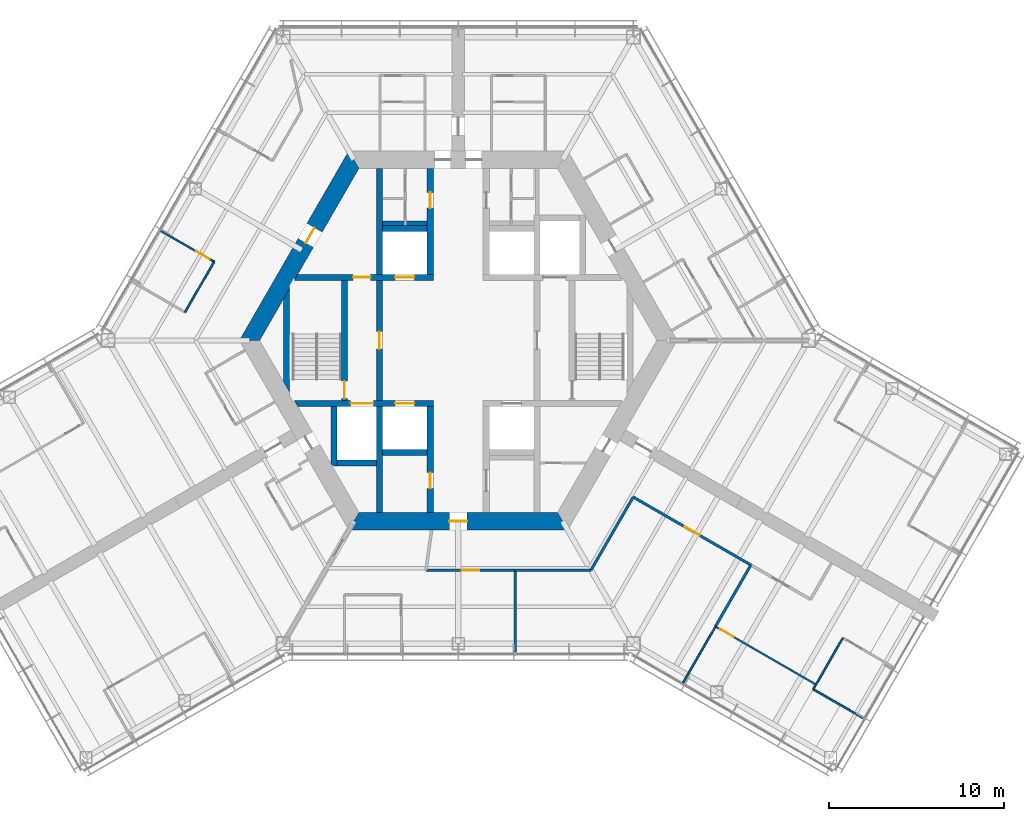
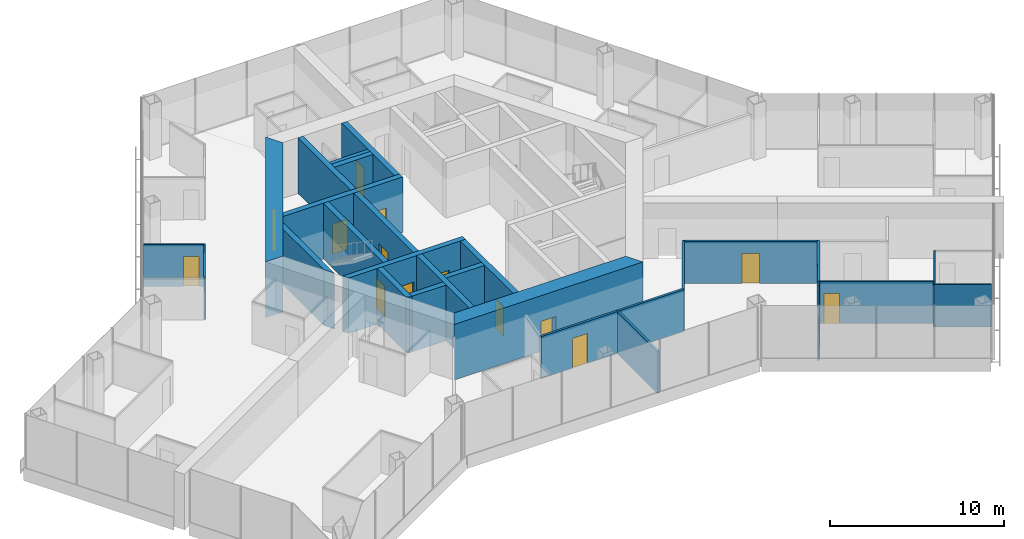
# One storey, part 12 of 18: 29 walls, 14 doors, 14 openings.
"""IFC4 building model written with IfcOpenShell, lengths in metres."""

from ifc_helpers import new_model, si_unit, direction, frame, frame_2d, origin, place, context, subcontext, project, spatial, polyline, rectangle, outline, extrude, material, layer, layer_set, type_object, element, fill, save


model = new_model("IFC4")

# Units and contexts
model_context = context("Model", 3, precision=1e-05, world=origin(), true_north=direction((0.0, 1.0)))
body_context = subcontext(model_context, "Body", "Model", "MODEL_VIEW")
ifc_project = project(units=[si_unit("LENGTHUNIT", "METRE"), si_unit("AREAUNIT", "SQUARE_METRE"), si_unit("VOLUMEUNIT", "CUBIC_METRE"), si_unit("PLANEANGLEUNIT", "RADIAN"), si_unit("MASSUNIT", "GRAM", prefix="KILO")], contexts=[model_context])

# Site, building, storey
site_placement = place(None, origin())
site = spatial("IfcSite", under=ifc_project, at=site_placement, CompositionType="ELEMENT")
building_placement = place(site_placement, origin())
building = spatial("IfcBuilding", under=site, at=building_placement, Name="Kasaneha Research Tower", CompositionType="ELEMENT")
storey_placement = place(building_placement, frame((0.0, 0.0, 176.0)))
storey = spatial("IfcBuildingStorey", under=building, at=storey_placement, Name="L44", CompositionType="ELEMENT", Elevation=176.0)

# Wall, openings, doors
ifc_material_1 = material(Name="Concrete Fc70", Category="concrete")
ifc_layer_1 = layer(ifc_material_1, 0.35009765625)
ifc_layer_set_1 = layer_set([ifc_layer_1], Name="Core internal wall 350 Fc70")
wall_type_1 = type_object("IfcWallType", Name="Core internal wall 350 Fc70", PredefinedType="SHEAR", material=ifc_layer_set_1)
wall_1_placement = place(storey_placement, frame((-9.266357421875, 3.60009765625, 0.0), z_axis=(0.0, 0.0, 1.0), x_axis=(1.0, 0.0, 0.0)))
wall_1 = element("IfcWall", 1, at=wall_1_placement, inside=storey, type_object=wall_type_1, Name="Core wall W1W L44", PredefinedType="SHEAR", context=body_context, shape_type="SweptSolid", body=[
    extrude(outline(polyline([(-0.10107421875, -0.175048828125), (3.266357421875, -0.175048828125), (4.266357421875, -0.175048828125), (5.66650390625, -0.175048828125), (6.7666015625, -0.175048828125), (7.84130859375, -0.175048828125), (7.84130859375, 0.175048828125), (6.7666015625, 0.175048828125), (5.66650390625, 0.175048828125), (4.266357421875, 0.175048828125), (3.266357421875, 0.175048828125), (0.10107421875, 0.175048828125), (-0.10107421875, -0.175048828125)])), origin(), (0.0, 0.0, 1.0), 3.89990234375),
])
opening_1_placement = place(wall_1_placement, frame((3.266357421875, 0.0, 0.0)))
opening_1 = element("IfcOpeningElement", 2, at=opening_1_placement, cuts=wall_1, Name="Opening L44-D12", PredefinedType="OPENING", context=body_context, shape_type="SweptSolid", body=[
    extrude(rectangle(XDim=1.0, YDim=2.10009765625, at=frame_2d((0.5, 1.050048828125))), frame((0.0, 0.18505859375, 0.0), z_axis=(0.0, -1.0, 0.0), x_axis=(1.0, 0.0, 0.0)), (0.0, 0.0, 1.0), 0.3701171875),
])
opening_2_placement = place(wall_1_placement, frame((5.66650390625, 0.0, 0.0)))
opening_2 = element("IfcOpeningElement", 3, at=opening_2_placement, cuts=wall_1, Name="Opening LD-LM1-L44", PredefinedType="OPENING", context=body_context, shape_type="SweptSolid", body=[
    extrude(rectangle(XDim=1.10009765625, YDim=2.10009765625, at=frame_2d((0.550048828125, 1.050048828125))), frame((0.0, 0.18505859375, 0.0), z_axis=(0.0, -1.0, 0.0), x_axis=(1.0, 0.0, 0.0)), (0.0, 0.0, 1.0), 0.3701171875),
])
ifc_material_2 = material(Name="Steel", Category="steel")
door_type_1 = type_object("IfcDoorType", Name="Lift landing door 1100x2100", OperationType="DOUBLE_DOOR_SLIDING", PredefinedType="DOOR", material=ifc_material_2)
door_1_placement = place(opening_2_placement, origin())
door_1 = element("IfcDoor", 4, at=door_1_placement, inside=storey, type_object=door_type_1, Name="Landing door LM1 LD-LM1-L44", OperationType="DOUBLE_DOOR_SLIDING", OverallHeight=2.10009765625, OverallWidth=1.10009765625, PredefinedType="DOOR", context=body_context, shape_type="SweptSolid", body=[
    extrude(rectangle(XDim=1.10009765625, YDim=2.10009765625, at=frame_2d((0.550048828125, 1.050048828125))), frame((0.0, 0.02490234375, 0.0), z_axis=(0.0, -1.0, 0.0), x_axis=(1.0, 0.0, 0.0)), (0.0, 0.0, 1.0), 0.050048828125),
])
fill(opening_2, door_1)
ifc_material_3 = material(Name="Steel", Category="steel")
door_type_2 = type_object("IfcDoorType", Name="Specified fire door FD60 1000x2100", OperationType="NOTDEFINED", PredefinedType="DOOR", material=ifc_material_3)
door_2_placement = place(opening_1_placement, origin())
door_2 = element("IfcDoor", 5, at=door_2_placement, inside=storey, type_object=door_type_2, Name="Vestibule to lobby door L44-D12", OperationType="SINGLE_SWING_LEFT", OverallHeight=2.10009765625, OverallWidth=1.0, PredefinedType="DOOR", context=body_context, shape_type="SweptSolid", body=[
    extrude(rectangle(XDim=1.0, YDim=2.10009765625, at=frame_2d((0.5, 1.050048828125))), frame((0.0, 0.02490234375, 0.0), z_axis=(0.0, -1.0, 0.0), x_axis=(1.0, 0.0, 0.0)), (0.0, 0.0, 1.0), 0.050048828125),
])
fill(opening_1, door_2)

wall_2_placement = place(storey_placement, frame((-9.266357421875, -3.60009765625, 0.0), z_axis=(0.0, 0.0, 1.0), x_axis=(1.0, 0.0, 0.0)))
wall_2 = element("IfcWall", 6, at=wall_2_placement, inside=storey, type_object=wall_type_1, Name="Core wall W2W L44", PredefinedType="SHEAR", context=body_context, shape_type="SweptSolid", body=[
    extrude(outline(polyline([(0.10107421875, -0.175048828125), (3.116455078125, -0.175048828125), (4.41650390625, -0.175048828125), (5.66650390625, -0.175048828125), (6.7666015625, -0.175048828125), (7.84130859375, -0.175048828125), (7.84130859375, 0.175048828125), (6.7666015625, 0.175048828125), (5.66650390625, 0.175048828125), (4.41650390625, 0.175048828125), (3.116455078125, 0.175048828125), (-0.10107421875, 0.175048828125), (0.10107421875, -0.175048828125)])), origin(), (0.0, 0.0, 1.0), 3.89990234375),
])
opening_3_placement = place(wall_2_placement, frame((5.66650390625, 0.0, 0.0)))
opening_3 = element("IfcOpeningElement", 7, at=opening_3_placement, cuts=wall_2, Name="Opening LD-LM3-L44", PredefinedType="OPENING", context=body_context, shape_type="SweptSolid", body=[
    extrude(rectangle(XDim=1.10009765625, YDim=2.10009765625, at=frame_2d((0.550048828125, 1.050048828125))), frame((0.0, 0.18505859375, 0.0), z_axis=(0.0, -1.0, 0.0), x_axis=(1.0, 0.0, 0.0)), (0.0, 0.0, 1.0), 0.3701171875),
])
opening_4_placement = place(wall_2_placement, frame((3.116455078125, 0.0, 0.0)))
opening_4 = element("IfcOpeningElement", 8, at=opening_4_placement, cuts=wall_2, Name="Opening LD-FL2-L44", PredefinedType="OPENING", context=body_context, shape_type="SweptSolid", body=[
    extrude(rectangle(XDim=1.300048828125, YDim=2.10009765625, at=frame_2d((0.64990234375, 1.050048828125))), frame((0.0, 0.18505859375, 0.0), z_axis=(0.0, -1.0, 0.0), x_axis=(1.0, 0.0, 0.0)), (0.0, 0.0, 1.0), 0.3701171875),
])
door_3_placement = place(opening_3_placement, origin())
door_3 = element("IfcDoor", 9, at=door_3_placement, inside=storey, type_object=door_type_1, Name="Landing door LM3 LD-LM3-L44", OperationType="DOUBLE_DOOR_SLIDING", OverallHeight=2.10009765625, OverallWidth=1.10009765625, PredefinedType="DOOR", context=body_context, shape_type="SweptSolid", body=[
    extrude(rectangle(XDim=1.10009765625, YDim=2.10009765625, at=frame_2d((0.550048828125, 1.050048828125))), frame((0.0, 0.02490234375, 0.0), z_axis=(0.0, -1.0, 0.0), x_axis=(1.0, 0.0, 0.0)), (0.0, 0.0, 1.0), 0.050048828125),
])
fill(opening_3, door_3)
ifc_material_4 = material(Name="Steel", Category="steel")
door_type_3 = type_object("IfcDoorType", Name="Lift landing door 1300x2100", OperationType="DOUBLE_DOOR_SLIDING", PredefinedType="DOOR", material=ifc_material_4)
door_4_placement = place(opening_4_placement, origin())
door_4 = element("IfcDoor", 10, at=door_4_placement, inside=storey, type_object=door_type_3, Name="Landing door FL2 LD-FL2-L44", OperationType="DOUBLE_DOOR_SLIDING", OverallHeight=2.10009765625, OverallWidth=1.300048828125, PredefinedType="DOOR", context=body_context, shape_type="SweptSolid", body=[
    extrude(rectangle(XDim=1.300048828125, YDim=2.10009765625, at=frame_2d((0.64990234375, 1.050048828125))), frame((0.0, 0.02490234375, 0.0), z_axis=(0.0, -1.0, 0.0), x_axis=(1.0, 0.0, 0.0)), (0.0, 0.0, 1.0), 0.050048828125),
])
fill(opening_4, door_4)

# Wall, opening, door
wall_3_placement = place(storey_placement, frame((-1.60009765625, 3.77490234375, 0.0), z_axis=(0.0, 0.0, 1.0), x_axis=(0.0, 1.0, 0.0)))
wall_3 = element("IfcWall", 11, at=wall_3_placement, inside=storey, type_object=wall_type_1, Name="Core wall CNW L44", PredefinedType="SHEAR", context=body_context, shape_type="SweptSolid", body=[
    extrude(rectangle(XDim=6.050048828125, YDim=0.35009765625, at=frame_2d((3.02490234375, 0.0))), origin(), (0.0, 0.0, 1.0), 3.89990234375),
])
opening_5_placement = place(wall_3_placement, frame((3.77490234375, 0.0, 0.0)))
opening_5 = element("IfcOpeningElement", 12, at=opening_5_placement, cuts=wall_3, Name="Opening L44-D13", PredefinedType="OPENING", context=body_context, shape_type="SweptSolid", body=[
    extrude(rectangle(XDim=0.89990234375, YDim=2.10009765625, at=frame_2d((0.449951171875, 1.050048828125))), frame((0.0, 0.18505859375, 0.0), z_axis=(0.0, -1.0, 0.0), x_axis=(1.0, 0.0, 0.0)), (0.0, 0.0, 1.0), 0.3701171875),
])
ifc_material_5 = material(Name="Steel", Category="steel")
door_type_4 = type_object("IfcDoorType", Name="Toilet door FD20 900x2100", OperationType="NOTDEFINED", PredefinedType="DOOR", material=ifc_material_5)
door_5_placement = place(opening_5_placement, origin())
door_5 = element("IfcDoor", 13, at=door_5_placement, inside=storey, type_object=door_type_4, Name="Men's WC door L44-D13", OperationType="SINGLE_SWING_LEFT", OverallHeight=2.10009765625, OverallWidth=0.89990234375, PredefinedType="DOOR", context=body_context, shape_type="SweptSolid", body=[
    extrude(rectangle(XDim=0.89990234375, YDim=2.10009765625, at=frame_2d((0.449951171875, 1.050048828125))), frame((0.0, 0.02490234375, 0.0), z_axis=(0.0, -1.0, 0.0), x_axis=(1.0, 0.0, 0.0)), (0.0, 0.0, 1.0), 0.050048828125),
])
fill(opening_5, door_5)

wall_4_placement = place(storey_placement, frame((-1.60009765625, -3.77490234375, 0.0), z_axis=(0.0, 0.0, 1.0), x_axis=(0.0, -1.0, 0.0)))
wall_4 = element("IfcWall", 14, at=wall_4_placement, inside=storey, type_object=wall_type_1, Name="Core wall CSW L44", PredefinedType="SHEAR", context=body_context, shape_type="SweptSolid", body=[
    extrude(rectangle(XDim=6.050048828125, YDim=0.35009765625, at=frame_2d((3.02490234375, 0.0))), origin(), (0.0, 0.0, 1.0), 3.89990234375),
])
opening_6_placement = place(wall_4_placement, frame((3.77490234375, 0.0, 0.0)))
opening_6 = element("IfcOpeningElement", 15, at=opening_6_placement, cuts=wall_4, Name="Opening L44-D16", PredefinedType="OPENING", context=body_context, shape_type="SweptSolid", body=[
    extrude(rectangle(XDim=0.89990234375, YDim=2.10009765625, at=frame_2d((0.449951171875, 1.050048828125))), frame((0.0, 0.18505859375, 0.0), z_axis=(0.0, -1.0, 0.0), x_axis=(1.0, 0.0, 0.0)), (0.0, 0.0, 1.0), 0.3701171875),
])
ifc_material_6 = material(Name="Steel", Category="steel")
door_type_5 = type_object("IfcDoorType", Name="Riser access door FD60 900x2100", OperationType="NOTDEFINED", PredefinedType="DOOR", material=ifc_material_6)
door_6_placement = place(opening_6_placement, origin())
door_6 = element("IfcDoor", 16, at=door_6_placement, inside=storey, type_object=door_type_5, Name="Electrical riser door L44-D16", OperationType="SINGLE_SWING_LEFT", OverallHeight=2.10009765625, OverallWidth=0.89990234375, PredefinedType="DOOR", context=body_context, shape_type="SweptSolid", body=[
    extrude(rectangle(XDim=0.89990234375, YDim=2.10009765625, at=frame_2d((0.449951171875, 1.050048828125))), frame((0.0, 0.02490234375, 0.0), z_axis=(0.0, -1.0, 0.0), x_axis=(1.0, 0.0, 0.0)), (0.0, 0.0, 1.0), 0.050048828125),
])
fill(opening_6, door_6)

wall_5_placement = place(storey_placement, frame((-4.5, -3.425048828125, 0.0), z_axis=(0.0, 0.0, 1.0), x_axis=(0.0, 1.0, 0.0)))
wall_5 = element("IfcWall", 17, at=wall_5_placement, inside=storey, type_object=wall_type_1, Name="Core wall LBW L44", PredefinedType="SHEAR", context=body_context, shape_type="SweptSolid", body=[
    extrude(rectangle(XDim=6.85009765625, YDim=0.35009765625, at=frame_2d((3.425048828125, 0.0))), origin(), (0.0, 0.0, 1.0), 3.89990234375),
])
opening_7_placement = place(wall_5_placement, frame((2.925048828125, 0.0, 0.0)))
opening_7 = element("IfcOpeningElement", 18, at=opening_7_placement, cuts=wall_5, Name="Opening L44-D09", PredefinedType="OPENING", context=body_context, shape_type="SweptSolid", body=[
    extrude(rectangle(XDim=1.0, YDim=2.10009765625, at=frame_2d((0.5, 1.050048828125))), frame((0.0, 0.18505859375, 0.0), z_axis=(0.0, -1.0, 0.0), x_axis=(1.0, 0.0, 0.0)), (0.0, 0.0, 1.0), 0.3701171875),
])
door_7_placement = place(opening_7_placement, origin())
door_7 = element("IfcDoor", 19, at=door_7_placement, inside=storey, type_object=door_type_2, Name="Lift lobby door west L44-D09", OperationType="SINGLE_SWING_LEFT", OverallHeight=2.10009765625, OverallWidth=1.0, PredefinedType="DOOR", context=body_context, shape_type="SweptSolid", body=[
    extrude(rectangle(XDim=1.0, YDim=2.10009765625, at=frame_2d((0.5, 1.050048828125))), frame((0.0, 0.02490234375, 0.0), z_axis=(0.0, -1.0, 0.0), x_axis=(1.0, 0.0, 0.0)), (0.0, 0.0, 1.0), 0.050048828125),
])
fill(opening_7, door_7)

wall_6_placement = place(storey_placement, frame((-6.5, -3.425048828125, 0.0), z_axis=(0.0, 0.0, 1.0), x_axis=(0.0, 1.0, 0.0)))
wall_6 = element("IfcWall", 20, at=wall_6_placement, inside=storey, type_object=wall_type_1, Name="Core wall ANW L44", PredefinedType="SHEAR", context=body_context, shape_type="SweptSolid", body=[
    extrude(rectangle(XDim=6.85009765625, YDim=0.35009765625, at=frame_2d((3.425048828125, 0.0))), origin(), (0.0, 0.0, 1.0), 3.89990234375),
])
opening_8_placement = place(wall_6_placement, frame((0.10009765625, 0.0, 0.0)))
opening_8 = element("IfcOpeningElement", 21, at=opening_8_placement, cuts=wall_6, Name="Opening L44-D11", PredefinedType="OPENING", context=body_context, shape_type="SweptSolid", body=[
    extrude(rectangle(XDim=1.0, YDim=2.10009765625, at=frame_2d((0.5, 1.050048828125))), frame((0.0, 0.18505859375, 0.0), z_axis=(0.0, -1.0, 0.0), x_axis=(1.0, 0.0, 0.0)), (0.0, 0.0, 1.0), 0.3701171875),
])
door_8_placement = place(opening_8_placement, origin())
door_8 = element("IfcDoor", 22, at=door_8_placement, inside=storey, type_object=door_type_2, Name="Stair 2 door L44-D11", OperationType="SINGLE_SWING_LEFT", OverallHeight=2.10009765625, OverallWidth=1.0, PredefinedType="DOOR", context=body_context, shape_type="SweptSolid", body=[
    extrude(rectangle(XDim=1.0, YDim=2.10009765625, at=frame_2d((0.5, 1.050048828125))), frame((0.0, 0.02490234375, 0.0), z_axis=(0.0, -1.0, 0.0), x_axis=(1.0, 0.0, 0.0)), (0.0, 0.0, 1.0), 0.050048828125),
])
fill(opening_8, door_8)

# Walls
for number, where, z_axis, x_axis, name in (
    (23, (-4.5, 3.77490234375, 0.0), (0.0, 0.0, 1.0), (0.0, 1.0, 0.0), "Core wall VNW L44"),
    (24, (-4.5, -3.77490234375, 0.0), (0.0, 0.0, 1.0), (0.0, -1.0, 0.0), "Core wall SSW L44"),
):
    element("IfcWall", number, at=place(storey_placement, frame(where, z_axis=z_axis, x_axis=x_axis)), inside=storey, type_object=wall_type_1, Name=name, PredefinedType="SHEAR", context=body_context, shape_type="SweptSolid", body=[
        extrude(rectangle(XDim=6.050048828125, YDim=0.35009765625, at=frame_2d((3.02490234375, 0.0))), origin(), (0.0, 0.0, 1.0), 3.89990234375),
    ])
for number, where, z_axis, x_axis, name in (
    (25, (-4.324951171875, 6.39990234375, 0.0), (0.0, 0.0, 1.0), (1.0, 0.0, 0.0), "Core wall N1N L44"),
    (26, (-4.324951171875, -6.39990234375, 0.0), (0.0, 0.0, 1.0), (1.0, 0.0, 0.0), "Core wall S1S L44"),
):
    element("IfcWall", number, at=place(storey_placement, frame(where, z_axis=z_axis, x_axis=x_axis)), inside=storey, type_object=wall_type_1, Name=name, PredefinedType="SHEAR", context=body_context, shape_type="SweptSolid", body=[
        extrude(rectangle(XDim=2.550048828125, YDim=0.35009765625, at=frame_2d((1.27490234375, 0.0))), origin(), (0.0, 0.0, 1.0), 3.89990234375),
    ])
wall_7_placement = place(storey_placement, frame((-6.925048828125, -7.0, 0.0), z_axis=(0.0, 0.0, 1.0), x_axis=(1.0, 0.0, 0.0)))
element("IfcWall", 27, at=wall_7_placement, inside=storey, type_object=wall_type_1, Name="Core wall F2S L44", PredefinedType="SHEAR", context=body_context, shape_type="SweptSolid", body=[
    extrude(rectangle(XDim=2.25, YDim=0.35009765625, at=frame_2d((1.125, 0.0))), origin(), (0.0, 0.0, 1.0), 3.89990234375),
])
wall_8_placement = place(storey_placement, frame((-7.10009765625, -3.77490234375, 0.0), z_axis=(0.0, 0.0, 1.0), x_axis=(0.0, -1.0, 0.0)))
element("IfcWall", 28, at=wall_8_placement, inside=storey, type_object=wall_type_1, Name="Core wall F2W L44", PredefinedType="SHEAR", context=body_context, shape_type="SweptSolid", body=[
    extrude(outline(polyline([(0.0, -0.175048828125), (3.2744140625, -0.175048828125), (3.400146484375, 0.0), (3.400146484375, 0.175048828125), (0.0, 0.175048828125), (0.0, -0.175048828125)])), origin(), (0.0, 0.0, 1.0), 3.89990234375),
])
wall_9_placement = place(storey_placement, frame((-9.807861328125, -2.662353515625, 0.0), z_axis=(0.0, 0.0, 1.0), x_axis=(0.0, 1.0, 0.0)))
element("IfcWall", 29, at=wall_9_placement, inside=storey, type_object=wall_type_1, Name="Core wall STW L44", PredefinedType="SHEAR", context=body_context, shape_type="SweptSolid", body=[
    extrude(outline(polyline([(-0.30322265625, -0.175048828125), (5.6279296875, -0.175048828125), (5.021484375, 0.175048828125), (0.30322265625, 0.175048828125), (-0.30322265625, -0.175048828125)])), origin(), (0.0, 0.0, 1.0), 3.89990234375),
])

# Wall, opening, door
ifc_material_7 = material(Name="Concrete Fc70", Category="concrete")
ifc_layer_2 = layer(ifc_material_7, 1.0)
ifc_layer_set_2 = layer_set([ifc_layer_2], Name="Core wall 1000 Fc70")
wall_type_2 = type_object("IfcWallType", Name="Core wall 1000 Fc70", PredefinedType="SHEAR", material=ifc_layer_set_2)
wall_10_placement = place(storey_placement, frame((-5.961181640625, 10.324951171875, 0.0), z_axis=(0.0, 0.0, 1.0), x_axis=(-0.500004296715, -0.866022923061, 0.0)))
wall_10 = element("IfcWall", 30, at=wall_10_placement, inside=storey, type_object=wall_type_2, Name="Core wall 150 L44", PredefinedType="SHEAR", context=body_context, shape_type="SweptSolid", body=[
    extrude(outline(polyline([(-0.28857421875, -0.5), (4.494140625, -0.5), (5.494140625, -0.5), (12.2109375, -0.5), (11.6337890625, 0.5), (5.494140625, 0.5), (4.494140625, 0.5), (0.28857421875, 0.5), (-0.28857421875, -0.5)])), origin(), (0.0, 0.0, 1.0), 3.89990234375),
])
opening_9_placement = place(wall_10_placement, frame((4.494140625, 0.0, 0.0)))
opening_9 = element("IfcOpeningElement", 31, at=opening_9_placement, cuts=wall_10, Name="Opening L44-D07", PredefinedType="OPENING", context=body_context, shape_type="SweptSolid", body=[
    extrude(rectangle(XDim=1.0, YDim=2.10009765625, at=frame_2d((0.5, 1.050048828125))), frame((0.0, 0.510009765625, 0.0), z_axis=(0.0, -1.0, 0.0), x_axis=(1.0, 0.0, 0.0)), (0.0, 0.0, 1.0), 1.02001953125),
])
ifc_material_8 = material(Name="Steel", Category="steel")
door_type_6 = type_object("IfcDoorType", Name="Fire door FD20 1000x2100", OperationType="NOTDEFINED", PredefinedType="DOOR", material=ifc_material_8)
door_9_placement = place(opening_9_placement, origin())
door_9 = element("IfcDoor", 32, at=door_9_placement, inside=storey, type_object=door_type_6, Name="Vestibule door L44-D07", OperationType="SINGLE_SWING_LEFT", OverallHeight=2.10009765625, OverallWidth=1.0, PredefinedType="DOOR", context=body_context, shape_type="SweptSolid", body=[
    extrude(rectangle(XDim=1.0, YDim=2.10009765625, at=frame_2d((0.5, 1.050048828125))), frame((0.0, 0.02490234375, 0.0), z_axis=(0.0, -1.0, 0.0), x_axis=(1.0, 0.0, 0.0)), (0.0, 0.0, 1.0), 0.050048828125),
])
fill(opening_9, door_9)

wall_11_placement = place(storey_placement, frame((-5.961181640625, -10.324951171875, 0.0), z_axis=(0.0, 0.0, 1.0), x_axis=(1.0, 0.0, 0.0)))
wall_11 = element("IfcWall", 33, at=wall_11_placement, inside=storey, type_object=wall_type_2, Name="Core wall 270 L44", PredefinedType="SHEAR", context=body_context, shape_type="SweptSolid", body=[
    extrude(outline(polyline([(-0.28857421875, -0.5), (5.461181640625, -0.5), (6.461181640625, -0.5), (12.2109375, -0.5), (11.6337890625, 0.5), (6.461181640625, 0.5), (5.461181640625, 0.5), (0.28857421875, 0.5), (-0.28857421875, -0.5)])), origin(), (0.0, 0.0, 1.0), 3.89990234375),
])
opening_10_placement = place(wall_11_placement, frame((5.461181640625, 0.0, 0.0)))
opening_10 = element("IfcOpeningElement", 34, at=opening_10_placement, cuts=wall_11, Name="Opening L44-D03", PredefinedType="OPENING", context=body_context, shape_type="SweptSolid", body=[
    extrude(rectangle(XDim=1.0, YDim=2.10009765625, at=frame_2d((0.5, 1.050048828125))), frame((0.0, 0.510009765625, 0.0), z_axis=(0.0, -1.0, 0.0), x_axis=(1.0, 0.0, 0.0)), (0.0, 0.0, 1.0), 1.02001953125),
])
door_10_placement = place(opening_10_placement, origin())
door_10 = element("IfcDoor", 35, at=door_10_placement, inside=storey, type_object=door_type_6, Name="Core door south L44-D03", OperationType="SINGLE_SWING_LEFT", OverallHeight=2.10009765625, OverallWidth=1.0, PredefinedType="DOOR", context=body_context, shape_type="SweptSolid", body=[
    extrude(rectangle(XDim=1.0, YDim=2.10009765625, at=frame_2d((0.5, 1.050048828125))), frame((0.0, 0.02490234375, 0.0), z_axis=(0.0, -1.0, 0.0), x_axis=(1.0, 0.0, 0.0)), (0.0, 0.0, 1.0), 0.050048828125),
])
fill(opening_10, door_10)

ifc_material_9 = material(Name="Gypsum board on steel studs, one layer each side", Category="steel")
ifc_layer_3 = layer(ifc_material_9, 0.10009765625)
ifc_layer_set_3 = layer_set([ifc_layer_3], Name="Office partition 100")
wall_type_3 = type_object("IfcWallType", Name="Office partition 100", PredefinedType="PARTITIONING", material=ifc_layer_set_3)
wall_12_placement = place(storey_placement, frame((-16.97607421875, 6.247802734375, 0.0), z_axis=(0.0, 0.0, 1.0), x_axis=(0.866001150353, -0.500042005822, 0.0)))
wall_12 = element("IfcWall", 36, at=wall_12_placement, inside=storey, type_object=wall_type_3, Name="Office partition FBN04 L44", PredefinedType="PARTITIONING", context=body_context, shape_type="SweptSolid", body=[
    extrude(rectangle(XDim=3.505126953125, YDim=0.10009765625, at=frame_2d((1.75244140625, 0.0))), origin(), (0.0, 0.0, 1.0), 2.949951171875),
])
opening_11_placement = place(wall_12_placement, frame((2.30517578125, 0.0, 0.0)))
opening_11 = element("IfcOpeningElement", 37, at=opening_11_placement, cuts=wall_12, Name="Opening L44-D36", PredefinedType="OPENING", context=body_context, shape_type="SweptSolid", body=[
    extrude(rectangle(XDim=0.89990234375, YDim=2.10009765625, at=frame_2d((0.449951171875, 1.050048828125))), frame((0.0, 0.06005859375, 0.0), z_axis=(0.0, -1.0, 0.0), x_axis=(1.0, 0.0, 0.0)), (0.0, 0.0, 1.0), 0.1201171875),
])
ifc_material_10 = material(Name="Timber veneer", Category="wood")
door_type_7 = type_object("IfcDoorType", Name="Office door 900x2100", OperationType="SINGLE_SWING_LEFT", PredefinedType="DOOR", material=ifc_material_10)
door_11_placement = place(opening_11_placement, origin())
door_11 = element("IfcDoor", 38, at=door_11_placement, inside=storey, type_object=door_type_7, Name="Manager's office door L44-D36", OperationType="SINGLE_SWING_RIGHT", OverallHeight=2.10009765625, OverallWidth=0.89990234375, PredefinedType="DOOR", context=body_context, shape_type="SweptSolid", body=[
    extrude(rectangle(XDim=0.89990234375, YDim=2.10009765625, at=frame_2d((0.449951171875, 1.050048828125))), frame((0.0, 0.02490234375, 0.0), z_axis=(0.0, -1.0, 0.0), x_axis=(1.0, 0.0, 0.0)), (0.0, 0.0, 1.0), 0.050048828125),
])
fill(opening_11, door_11)

# Walls
wall_13_placement = place(storey_placement, frame((-13.940673828125, 4.4951171875, 0.0), z_axis=(0.0, 0.0, 1.0), x_axis=(-0.500033344505, -0.86600615147, 0.0)))
element("IfcWall", 39, at=wall_13_placement, inside=storey, type_object=wall_type_3, Name="Office partition FBN06 L44", PredefinedType="PARTITIONING", context=body_context, shape_type="SweptSolid", body=[
    extrude(rectangle(XDim=3.330810546875, YDim=0.10009765625, at=frame_2d((1.66552734375, 0.0))), origin(), (0.0, 0.0, 1.0), 2.949951171875),
])
wall_14_placement = place(storey_placement, frame((20.275146484375, -19.923583984375, 0.0), z_axis=(0.0, 0.0, 1.0), x_axis=(0.86598972202, -0.500061797536, 0.0)))
element("IfcWall", 40, at=wall_14_placement, inside=storey, type_object=wall_type_3, Name="Office partition FCS08 L44", PredefinedType="PARTITIONING", context=body_context, shape_type="SweptSolid", body=[
    extrude(rectangle(XDim=3.27978515625, YDim=0.10009765625, at=frame_2d((1.639892578125, 0.0))), origin(), (0.0, 0.0, 1.0), 2.949951171875),
])
wall_15_placement = place(storey_placement, frame((20.4296875, -19.64599609375, 0.0), z_axis=(0.0, 0.0, 1.0), x_axis=(-0.486425680342, -0.873721956634, 0.0)))
element("IfcWall", 41, at=wall_15_placement, inside=storey, type_object=wall_type_3, Name="Office partition FCS09 L44", PredefinedType="PARTITIONING", context=body_context, shape_type="SweptSolid", body=[
    extrude(rectangle(XDim=0.317626953125, YDim=0.10009765625, at=frame_2d((0.15869140625, 0.0))), origin(), (0.0, 0.0, 1.0), 2.949951171875),
])
wall_16_placement = place(storey_placement, frame((12.839599609375, -19.543212890625, 0.0), z_axis=(0.0, 0.0, 1.0), x_axis=(0.50111938689, 0.865378160161, 0.0)))
element("IfcWall", 42, at=wall_16_placement, inside=storey, type_object=wall_type_3, Name="Office partition FCS10 L44", PredefinedType="PARTITIONING", context=body_context, shape_type="SweptSolid", body=[
    extrude(rectangle(XDim=3.705078125, YDim=0.10009765625, at=frame_2d((1.8525390625, 0.0))), origin(), (0.0, 0.0, 1.0), 2.949951171875),
])

# Wall, opening, door
wall_17_placement = place(storey_placement, frame((14.68994140625, -16.33837890625, 0.0), z_axis=(0.0, 0.0, 1.0), x_axis=(0.866056800938, -0.499945614591, 0.0)))
wall_17 = element("IfcWall", 43, at=wall_17_placement, inside=storey, type_object=wall_type_3, Name="Office partition FCS11 L44", PredefinedType="PARTITIONING", context=body_context, shape_type="SweptSolid", body=[
    extrude(rectangle(XDim=6.629150390625, YDim=0.10009765625, at=frame_2d((3.314453125, 0.0))), origin(), (0.0, 0.0, 1.0), 2.949951171875),
])
opening_12_placement = place(wall_17_placement, frame((0.300048828125, 0.0, 0.0)))
opening_12 = element("IfcOpeningElement", 44, at=opening_12_placement, cuts=wall_17, Name="Opening L44-D47", PredefinedType="OPENING", context=body_context, shape_type="SweptSolid", body=[
    extrude(rectangle(XDim=0.89990234375, YDim=2.10009765625, at=frame_2d((0.449951171875, 1.050048828125))), frame((0.0, 0.06005859375, 0.0), z_axis=(0.0, -1.0, 0.0), x_axis=(1.0, 0.0, 0.0)), (0.0, 0.0, 1.0), 0.1201171875),
])
door_12_placement = place(opening_12_placement, origin())
door_12 = element("IfcDoor", 45, at=door_12_placement, inside=storey, type_object=door_type_7, Name="Meeting room door L44-D47", OperationType="SINGLE_SWING_LEFT", OverallHeight=2.10009765625, OverallWidth=0.89990234375, PredefinedType="DOOR", context=body_context, shape_type="SweptSolid", body=[
    extrude(rectangle(XDim=0.89990234375, YDim=2.10009765625, at=frame_2d((0.449951171875, 1.050048828125))), frame((0.0, 0.02490234375, 0.0), z_axis=(0.0, -1.0, 0.0), x_axis=(1.0, 0.0, 0.0)), (0.0, 0.0, 1.0), 0.050048828125),
])
fill(opening_12, door_12)

# Walls
wall_18_placement = place(storey_placement, frame((20.431396484375, -19.652587890625, 0.0), z_axis=(0.0, 0.0, 1.0), x_axis=(0.500029867204, 0.86600815926, 0.0)))
element("IfcWall", 46, at=wall_18_placement, inside=storey, type_object=wall_type_3, Name="Office partition FCS15 L44", PredefinedType="PARTITIONING", context=body_context, shape_type="SweptSolid", body=[
    extrude(rectangle(XDim=3.070556640625, YDim=0.10009765625, at=frame_2d((1.53515625, 0.0))), origin(), (0.0, 0.0, 1.0), 2.949951171875),
])
ifc_material_11 = material(Name="Gypsum board on steel studs, two layers each side", Category="steel")
ifc_layer_4 = layer(ifc_material_11, 0.14990234375)
ifc_layer_set_4 = layer_set([ifc_layer_4], Name="Suite partition 150")
wall_type_4 = type_object("IfcWallType", Name="Suite partition 150", PredefinedType="PARTITIONING", material=ifc_layer_set_4)
wall_19_placement = place(storey_placement, frame((7.57763671875, -13.125, 0.0), z_axis=(0.0, 0.0, 1.0), x_axis=(-1.0, 0.0, 0.0)))
element("IfcWall", 47, at=wall_19_placement, inside=storey, type_object=wall_type_4, Name="Suite partition FCS01 L44", PredefinedType="PARTITIONING", context=body_context, shape_type="SweptSolid", body=[
    extrude(rectangle(XDim=4.336181640625, YDim=0.14990234375, at=frame_2d((2.16796875, 0.0))), origin(), (0.0, 0.0, 1.0), 2.949951171875),
])
wall_20_placement = place(storey_placement, frame((9.99169921875, -8.944091796875, 0.0), z_axis=(0.0, 0.0, 1.0), x_axis=(-0.500033248206, -0.866006207073, 0.0)))
element("IfcWall", 48, at=wall_20_placement, inside=storey, type_object=wall_type_4, Name="Suite partition FCS02 L44", PredefinedType="PARTITIONING", context=body_context, shape_type="SweptSolid", body=[
    extrude(rectangle(XDim=4.827880859375, YDim=0.14990234375, at=frame_2d((2.4140625, 0.0))), origin(), (0.0, 0.0, 1.0), 2.949951171875),
])

# Wall, opening, door
wall_21_placement = place(storey_placement, frame((16.721435546875, -12.82958984375, 0.0), z_axis=(0.0, 0.0, 1.0), x_axis=(-0.866020780657, 0.500008007406, 0.0)))
wall_21 = element("IfcWall", 49, at=wall_21_placement, inside=storey, type_object=wall_type_4, Name="Suite partition FCS03 L44", PredefinedType="PARTITIONING", context=body_context, shape_type="SweptSolid", body=[
    extrude(rectangle(XDim=7.770751953125, YDim=0.14990234375, at=frame_2d((3.88525390625, 0.0))), origin(), (0.0, 0.0, 1.0), 2.949951171875),
])
opening_13_placement = place(wall_21_placement, frame((3.385498046875, 0.0, 0.0)))
opening_13 = element("IfcOpeningElement", 50, at=opening_13_placement, cuts=wall_21, Name="Opening L44-D44", PredefinedType="OPENING", context=body_context, shape_type="SweptSolid", body=[
    extrude(rectangle(XDim=1.0, YDim=2.10009765625, at=frame_2d((0.5, 1.050048828125))), frame((0.0, 0.0849609375, 0.0), z_axis=(0.0, -1.0, 0.0), x_axis=(1.0, 0.0, 0.0)), (0.0, 0.0, 1.0), 0.169921875),
])
ifc_material_12 = material(Name="Steel", Category="steel")
door_type_8 = type_object("IfcDoorType", Name="Suite entrance door FD60 1000x2100", OperationType="NOTDEFINED", PredefinedType="DOOR", material=ifc_material_12)
door_13_placement = place(opening_13_placement, origin())
door_13 = element("IfcDoor", 51, at=door_13_placement, inside=storey, type_object=door_type_8, Name="Suite entrance door L44-D44", OperationType="SINGLE_SWING_LEFT", OverallHeight=2.10009765625, OverallWidth=1.0, PredefinedType="DOOR", context=body_context, shape_type="SweptSolid", body=[
    extrude(rectangle(XDim=1.0, YDim=2.10009765625, at=frame_2d((0.5, 1.050048828125))), frame((0.0, 0.02490234375, 0.0), z_axis=(0.0, -1.0, 0.0), x_axis=(1.0, 0.0, 0.0)), (0.0, 0.0, 1.0), 0.050048828125),
])
fill(opening_13, door_13)

wall_22_placement = place(storey_placement, frame((3.25146484375, -13.125, 0.0), z_axis=(0.0, 0.0, 1.0), x_axis=(-1.0, 0.0, 0.0)))
wall_22 = element("IfcWall", 52, at=wall_22_placement, inside=storey, type_object=wall_type_4, Name="Suite partition FCS05 L44", PredefinedType="PARTITIONING", context=body_context, shape_type="SweptSolid", body=[
    extrude(rectangle(XDim=5.095947265625, YDim=0.14990234375, at=frame_2d((2.5478515625, 0.0))), origin(), (0.0, 0.0, 1.0), 2.949951171875),
])
opening_14_placement = place(wall_22_placement, frame((2.048095703125, 0.0, 0.0)))
opening_14 = element("IfcOpeningElement", 53, at=opening_14_placement, cuts=wall_22, Name="Opening L44-D45", PredefinedType="OPENING", context=body_context, shape_type="SweptSolid", body=[
    extrude(rectangle(XDim=1.0, YDim=2.10009765625, at=frame_2d((0.5, 1.050048828125))), frame((0.0, 0.0849609375, 0.0), z_axis=(0.0, -1.0, 0.0), x_axis=(1.0, 0.0, 0.0)), (0.0, 0.0, 1.0), 0.169921875),
])
door_14_placement = place(opening_14_placement, origin())
door_14 = element("IfcDoor", 54, at=door_14_placement, inside=storey, type_object=door_type_8, Name="Suite entrance door L44-D45", OperationType="SINGLE_SWING_LEFT", OverallHeight=2.10009765625, OverallWidth=1.0, PredefinedType="DOOR", context=body_context, shape_type="SweptSolid", body=[
    extrude(rectangle(XDim=1.0, YDim=2.10009765625, at=frame_2d((0.5, 1.050048828125))), frame((0.0, 0.02490234375, 0.0), z_axis=(0.0, -1.0, 0.0), x_axis=(1.0, 0.0, 0.0)), (0.0, 0.0, 1.0), 0.050048828125),
])
fill(opening_14, door_14)

# Walls
wall_23_placement = place(storey_placement, frame((3.246337890625, -17.800537109375, 0.0), z_axis=(0.0, 0.0, 1.0), x_axis=(0.001096662352, 0.999999398666, 0.0)))
element("IfcWall", 55, at=wall_23_placement, inside=storey, type_object=wall_type_4, Name="Suite partition FCS17 L44", PredefinedType="PARTITIONING", context=body_context, shape_type="SweptSolid", body=[
    extrude(rectangle(XDim=4.675048828125, YDim=0.14990234375, at=frame_2d((2.33740234375, 0.0))), origin(), (0.0, 0.0, 1.0), 2.949951171875),
])
wall_24_placement = place(storey_placement, frame((16.712646484375, -12.824951171875, 0.0), z_axis=(0.0, 0.0, 1.0), x_axis=(-0.498976779382, -0.866615355067, 0.0)))
element("IfcWall", 56, at=wall_24_placement, inside=storey, type_object=wall_type_4, Name="Suite partition FCS18 L44", PredefinedType="PARTITIONING", context=body_context, shape_type="SweptSolid", body=[
    extrude(rectangle(XDim=4.05419921875, YDim=0.14990234375, at=frame_2d((2.027099609375, 0.0))), origin(), (0.0, 0.0, 1.0), 2.949951171875),
])
ifc_material_13 = material(Name="Concrete block lining", Category="concrete")
ifc_layer_5 = layer(ifc_material_13, 0.25)
ifc_layer_set_5 = layer_set([ifc_layer_5], Name="WC plumbing wall 250")
wall_type_5 = type_object("IfcWallType", Name="WC plumbing wall 250", PredefinedType="PLUMBINGWALL", material=ifc_layer_set_5)
wall_25_placement = place(storey_placement, frame((-4.324951171875, 6.699951171875, 0.0), z_axis=(0.0, 0.0, 1.0), x_axis=(1.0, 0.0, 0.0)))
element("IfcWall", 57, at=wall_25_placement, inside=storey, type_object=wall_type_5, Name="WC plumbing wall M L44", PredefinedType="PLUMBINGWALL", context=body_context, shape_type="SweptSolid", body=[
    extrude(rectangle(XDim=2.550048828125, YDim=0.25, at=frame_2d((1.27490234375, 0.0))), origin(), (0.0, 0.0, 1.0), 3.89990234375),
])

save(model, "model.ifc")
